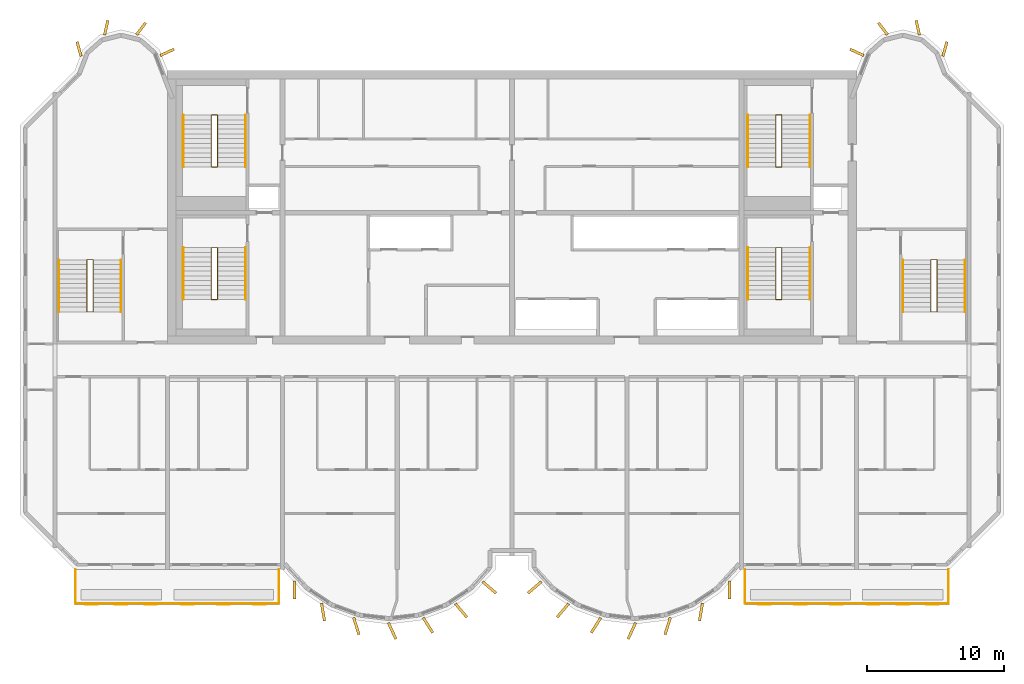
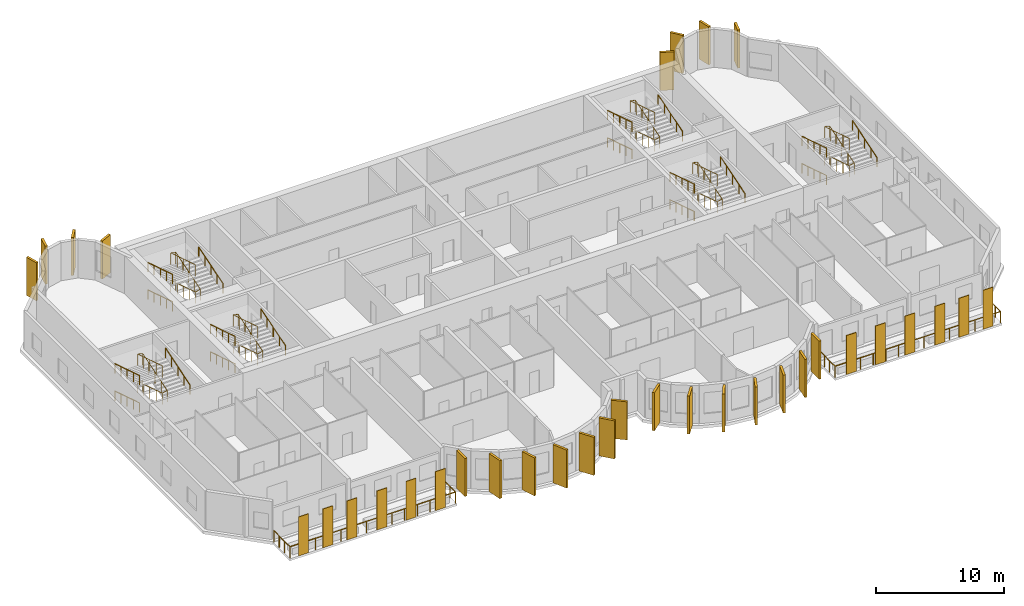
# One storey, part 10 of 11: 34 coverings, 26 railings.
"""IFC4 building model written with IfcOpenShell, lengths in metres."""

from ifc_helpers import new_model, si_unit, direction, frame, origin, origin_2d, place, context, subcontext, project, spatial, rectangle, circle, extrude, source, transform, mapped, material, layer, layer_set, material_profile, profile_set, type_object, element, save


model = new_model("IFC4")

# Units and contexts
model_context = context("Model", 3, precision=1e-05, world=origin(), true_north=direction((0.0, 1.0)))
body_context = subcontext(model_context, "Body", "Model", "MODEL_VIEW")
ifc_project = project(units=[si_unit("LENGTHUNIT", "METRE"), si_unit("AREAUNIT", "SQUARE_METRE"), si_unit("VOLUMEUNIT", "CUBIC_METRE"), si_unit("PLANEANGLEUNIT", "RADIAN"), si_unit("MASSUNIT", "GRAM", prefix="KILO")], contexts=[model_context])

# Site, building, storey
site_placement = place(None, origin())
site = spatial("IfcSite", under=ifc_project, at=site_placement, CompositionType="ELEMENT")
building_placement = place(site_placement, origin())
building = spatial("IfcBuilding", under=site, at=building_placement, Name="Vanashikhar Sky Hotel", CompositionType="ELEMENT")
storey_placement = place(building_placement, frame((0.0, 0.0, 249.10009765625)))
storey = spatial("IfcBuildingStorey", under=building, at=storey_placement, Name="L60", CompositionType="ELEMENT", Elevation=249.10009765625)

# Railings
ifc_material_1 = material(Name="Stainless steel 316", Category="steel")
railing_type_1 = type_object("IfcRailingType", Name="Balcony guard 1100", PredefinedType="GUARDRAIL", material=ifc_material_1)
shared_shape_1 = source(origin(), body_context, "Body", "SweptSolid", [
    extrude(circle(Radius=0.02392578125, at=origin_2d()), frame((0.0, 0.0, 1.076171875), z_axis=(0.0, -1.0, 0.0), x_axis=(1.0, 0.0, 0.0)), (0.0, 0.0, 1.0), 2.5),
    extrude(circle(Radius=0.02392578125, at=origin_2d()), frame((0.0, -2.5, 1.076171875), z_axis=(1.0, 0.0, 0.0), x_axis=(0.0, 1.0, 0.0)), (0.0, 0.0, 1.0), 14.880126953125),
    extrude(circle(Radius=0.02392578125, at=origin_2d()), frame((14.880126953125, -2.5, 1.076171875), z_axis=(0.0, 1.0, 0.0), x_axis=(-1.0, 0.0, 0.0)), (0.0, 0.0, 1.0), 2.5),
    extrude(circle(Radius=0.02099609375, at=origin_2d()), origin(), (0.0, 0.0, 1.0), 1.052001953125),
    extrude(circle(Radius=0.02099609375, at=origin_2d()), frame((0.0, -0.833251953125, 0.0)), (0.0, 0.0, 1.0), 1.052001953125),
    extrude(circle(Radius=0.02099609375, at=origin_2d()), frame((0.0, -1.666748046875, 0.0)), (0.0, 0.0, 1.0), 1.052001953125),
    extrude(circle(Radius=0.02099609375, at=origin_2d()), frame((0.0, -2.5, 0.0)), (0.0, 0.0, 1.0), 1.052001953125),
    extrude(circle(Radius=0.02099609375, at=origin_2d()), frame((1.14453125, -2.5, 0.0)), (0.0, 0.0, 1.0), 1.052001953125),
    extrude(circle(Radius=0.02099609375, at=origin_2d()), frame((2.289306640625, -2.5, 0.0)), (0.0, 0.0, 1.0), 1.052001953125),
    extrude(circle(Radius=0.02099609375, at=origin_2d()), frame((3.433837890625, -2.5, 0.0)), (0.0, 0.0, 1.0), 1.052001953125),
    extrude(circle(Radius=0.02099609375, at=origin_2d()), frame((4.57861328125, -2.5, 0.0)), (0.0, 0.0, 1.0), 1.052001953125),
    extrude(circle(Radius=0.02099609375, at=origin_2d()), frame((5.72314453125, -2.5, 0.0)), (0.0, 0.0, 1.0), 1.052001953125),
    extrude(circle(Radius=0.02099609375, at=origin_2d()), frame((6.86767578125, -2.5, 0.0)), (0.0, 0.0, 1.0), 1.052001953125),
    extrude(circle(Radius=0.02099609375, at=origin_2d()), frame((8.012451171875, -2.5, 0.0)), (0.0, 0.0, 1.0), 1.052001953125),
    extrude(circle(Radius=0.02099609375, at=origin_2d()), frame((9.156982421875, -2.5, 0.0)), (0.0, 0.0, 1.0), 1.052001953125),
    extrude(circle(Radius=0.02099609375, at=origin_2d()), frame((10.301513671875, -2.5, 0.0)), (0.0, 0.0, 1.0), 1.052001953125),
    extrude(circle(Radius=0.02099609375, at=origin_2d()), frame((11.4462890625, -2.5, 0.0)), (0.0, 0.0, 1.0), 1.052001953125),
    extrude(circle(Radius=0.02099609375, at=origin_2d()), frame((12.5908203125, -2.5, 0.0)), (0.0, 0.0, 1.0), 1.052001953125),
    extrude(circle(Radius=0.02099609375, at=origin_2d()), frame((13.735595703125, -2.5, 0.0)), (0.0, 0.0, 1.0), 1.052001953125),
    extrude(circle(Radius=0.02099609375, at=origin_2d()), frame((14.880126953125, -2.5, 0.0)), (0.0, 0.0, 1.0), 1.052001953125),
    extrude(circle(Radius=0.02099609375, at=origin_2d()), frame((14.880126953125, -1.666748046875, 0.0)), (0.0, 0.0, 1.0), 1.052001953125),
    extrude(circle(Radius=0.02099609375, at=origin_2d()), frame((14.880126953125, -0.833251953125, 0.0)), (0.0, 0.0, 1.0), 1.052001953125),
    extrude(circle(Radius=0.02099609375, at=origin_2d()), frame((14.880126953125, 0.0, 0.0)), (0.0, 0.0, 1.0), 1.052001953125),
])
for number, where, name in (
    (1, (18.4599609375, 5.5, -0.050048828125), "Balcony guard"),
    (2, (67.4599609375, 5.5, -0.050048828125), "Balcony guard"),
):
    element("IfcRailing", number, at=place(storey_placement, frame(where)), inside=storey, type_object=railing_type_1, Name=name, PredefinedType="GUARDRAIL", context=body_context, shape_type="MappedRepresentation", body=[
        mapped(shared_shape_1, transform((0.0, 0.0, 0.0), scale=1.0)),
    ])

# Coverings
ifc_material_2 = material(Name="Terracotta", Category="masonry")
ifc_layer = layer(ifc_material_2, 0.06005859375)
ifc_layer_set = layer_set([ifc_layer], Name="Terracotta baguette screen")
covering_type_1 = type_object("IfcCoveringType", Name="Terracotta baguette screen", PredefinedType="CLADDING", material=ifc_layer_set)
shared_shape_2 = source(origin(), body_context, "Body", "SweptSolid", [
    extrude(rectangle(XDim=0.89990234375, YDim=0.06005859375, at=origin_2d()), origin(), (0.0, 0.0, 1.0), 3.699951171875),
])
for number, where, z_axis, x_axis, name in (
    (3, (19.63330078125, 2.929931640625, -0.05029296875), (0.0, 0.0, 1.0), (1.0, 0.0, 0.0), "Terracotta screen"),
    (4, (21.800048828125, 2.929931640625, -0.05029296875), (0.0, 0.0, 1.0), (1.0, 0.0, 0.0), "Terracotta screen"),
    (5, (23.966796875, 2.929931640625, -0.05029296875), (0.0, 0.0, 1.0), (1.0, 0.0, 0.0), "Terracotta screen"),
    (6, (26.666748046875, 2.929931640625, -0.05029296875), (0.0, 0.0, 1.0), (1.0, 0.0, 0.0), "Terracotta screen"),
    (7, (29.300048828125, 2.929931640625, -0.05029296875), (0.0, 0.0, 1.0), (1.0, 0.0, 0.0), "Terracotta screen"),
    (8, (31.933349609375, 2.929931640625, -0.05029296875), (0.0, 0.0, 1.0), (1.0, 0.0, 0.0), "Terracotta screen"),
    (9, (68.86669921875, 2.929931640625, -0.05029296875), (0.0, 0.0, 1.0), (1.0, 0.0, 0.0), "Terracotta screen"),
    (10, (71.5, 2.929931640625, -0.05029296875), (0.0, 0.0, 1.0), (1.0, 0.0, 0.0), "Terracotta screen"),
    (11, (74.13330078125, 2.929931640625, -0.05029296875), (0.0, 0.0, 1.0), (1.0, 0.0, 0.0), "Terracotta screen"),
    (12, (76.833251953125, 2.929931640625, -0.05029296875), (0.0, 0.0, 1.0), (1.0, 0.0, 0.0), "Terracotta screen"),
    (13, (79.0, 2.929931640625, -0.05029296875), (0.0, 0.0, 1.0), (1.0, 0.0, 0.0), "Terracotta screen"),
    (14, (81.166748046875, 2.929931640625, -0.05029296875), (0.0, 0.0, 1.0), (1.0, 0.0, 0.0), "Terracotta screen"),
):
    element("IfcCovering", number, at=place(storey_placement, frame(where, z_axis=z_axis, x_axis=x_axis)), inside=storey, type_object=covering_type_1, Name=name, PredefinedType="CLADDING", context=body_context, shape_type="MappedRepresentation", body=[
        mapped(shared_shape_2, transform((0.0, 0.0, 0.0), scale=1.0)),
    ])
ifc_material_3 = material(Name="Concrete M60 dark", Category="concrete")
ifc_material_profile_1 = material_profile(ifc_material_3, rectangle(XDim=1.300048828125, YDim=0.199951171875, at=origin_2d()))
ifc_profile_set_1 = profile_set([ifc_material_profile_1], Name="Fin 1300 x 200")
covering_type_2 = type_object("IfcCoveringType", Name="Fin 1300 x 200", PredefinedType="CLADDING", material=ifc_profile_set_1)
shared_shape_3 = source(origin(), body_context, "Body", "SweptSolid", [
    extrude(rectangle(XDim=1.300048828125, YDim=0.199951171875, at=origin_2d()), origin(), (0.0, 0.0, 1.0), 3.619873046875),
])
for number, where, z_axis, x_axis, name in (
    (15, (34.482421875, 3.992919921875, 0.0), (0.0, 0.0, 1.0), (0.011588726826, -0.999932848451, 0.0), "Fin F1-1"),
    (16, (36.572509765625, 2.3779296875, 0.0), (0.0, 0.0, 1.0), (0.16989991575, -0.985461322746, 0.0), "Fin F1-2"),
    (17, (39.00830078125, 1.35693359375, 0.0), (0.0, 0.0, 1.0), (0.303966551867, -0.952682704444, 0.0), "Fin F1-3"),
    (18, (41.63232421875, 1.00146484375, 0.0), (0.0, 0.0, 1.0), (0.422618261741, -0.906307787037, 0.0), "Fin F1-4"),
    (19, (44.251953125, 1.416015625, 0.0), (0.0, 0.0, 1.0), (0.534411358496, -0.845224526331, 0.0), "Fin F1-5"),
    (20, (46.676025390625, 2.5, 0.0), (0.0, 0.0, 1.0), (0.645697609467, -0.763593214433, 0.0), "Fin F1-6"),
    (21, (48.7412109375, 4.1845703125, 0.0), (0.0, 0.0, 1.0), (0.758543912032, -0.65162192529, 0.0), "Fin F1-7"),
    (22, (52.058837890625, 4.1845703125, 0.0), (0.0, 0.0, 1.0), (-0.758543912032, -0.65162192529, 0.0), "Fin F2-1"),
    (23, (54.123779296875, 2.5, 0.0), (0.0, 0.0, 1.0), (-0.645697609467, -0.763593214433, 0.0), "Fin F2-2"),
    (24, (56.547119140625, 1.416015625, 0.0), (0.0, 0.0, 1.0), (-0.534411358496, -0.845224526331, 0.0), "Fin F2-3"),
    (25, (59.16748046875, 1.00146484375, 0.0), (0.0, 0.0, 1.0), (-0.422618261741, -0.906307787037, 0.0), "Fin F2-4"),
    (26, (61.790771484375, 1.35693359375, 0.0), (0.0, 0.0, 1.0), (-0.303966551867, -0.952682704444, 0.0), "Fin F2-5"),
    (27, (64.2275390625, 2.3779296875, 0.0), (0.0, 0.0, 1.0), (-0.16989991575, -0.985461322746, 0.0), "Fin F2-6"),
    (28, (66.317626953125, 3.992919921875, 0.0), (0.0, 0.0, 1.0), (-0.011588726826, -0.999932848451, 0.0), "Fin F2-7"),
):
    element("IfcCovering", number, at=place(storey_placement, frame(where, z_axis=z_axis, x_axis=x_axis)), inside=storey, type_object=covering_type_2, Name=name, PredefinedType="CLADDING", context=body_context, shape_type="MappedRepresentation", body=[
        mapped(shared_shape_3, transform((0.0, 0.0, 0.0), scale=1.0)),
    ])
ifc_material_profile_2 = material_profile(ifc_material_3, rectangle(XDim=1.10009765625, YDim=0.199951171875, at=origin_2d()))
ifc_profile_set_2 = profile_set([ifc_material_profile_2], Name="Rear lobe fin 1100 x 200")
covering_type_3 = type_object("IfcCoveringType", Name="Rear lobe fin 1100 x 200", PredefinedType="CLADDING", material=ifc_profile_set_2)
shared_shape_4 = source(origin(), body_context, "Body", "SweptSolid", [
    extrude(rectangle(XDim=1.10009765625, YDim=0.199951171875, at=origin_2d()), origin(), (0.0, 0.0, 1.0), 3.619873046875),
])
for number, where, z_axis, x_axis, name in (
    (29, (18.720703125, 43.580078125, 0.0), (0.0, 0.0, 1.0), (-0.262711264409, 0.964874495234, 0.0), "Fin R1-1"),
    (30, (20.710205078125, 45.1455078125, 0.0), (0.0, 0.0, 1.0), (0.224644935864, 0.974440687159, 0.0), "Fin R1-2"),
    (31, (23.261962890625, 45.06640625, 0.0), (0.0, 0.0, 1.0), (0.602065892195, 0.798446404874, 0.0), "Fin R1-3"),
    (32, (25.169677734375, 43.33447265625, 0.0), (0.0, 0.0, 1.0), (0.908004291068, 0.418960866193, 0.0), "Fin R1-4"),
    (33, (75.63037109375, 43.33447265625, 0.0), (0.0, 0.0, 1.0), (-0.908004291068, 0.418960866193, 0.0), "Fin R2-1"),
    (34, (77.5380859375, 45.06640625, 0.0), (0.0, 0.0, 1.0), (-0.602065892195, 0.798446404874, 0.0), "Fin R2-2"),
    (35, (80.08984375, 45.1455078125, 0.0), (0.0, 0.0, 1.0), (-0.224644935864, 0.974440687159, 0.0), "Fin R2-3"),
    (36, (82.0791015625, 43.580078125, 0.0), (0.0, 0.0, 1.0), (0.262711264409, 0.964874495234, 0.0), "Fin R2-4"),
):
    element("IfcCovering", number, at=place(storey_placement, frame(where, z_axis=z_axis, x_axis=x_axis)), inside=storey, type_object=covering_type_3, Name=name, PredefinedType="CLADDING", context=body_context, shape_type="MappedRepresentation", body=[
        mapped(shared_shape_4, transform((0.0, 0.0, 0.0), scale=1.0)),
    ])

# Railings
ifc_material_4 = material(Name="Steel S355", Category="steel")
railing_type_2 = type_object("IfcRailingType", Name="Stair handrail 900", PredefinedType="HANDRAIL", material=ifc_material_4)
shared_shape_5 = source(origin(), body_context, "Body", "SweptSolid", [
    extrude(circle(Radius=0.02392578125, at=origin_2d()), frame((0.0, 0.0, 0.8759765625), z_axis=(0.0, 0.95418390146, 0.299220791714), x_axis=(-1.0, 0.0, 0.0)), (0.0, 0.0, 1.0), 3.982421875),
    extrude(circle(Radius=0.02099609375, at=origin_2d()), origin(), (0.0, 0.0, 1.0), 0.851806640625),
    extrude(circle(Radius=0.02099609375, at=origin_2d()), frame((0.0, 0.949951171875, 0.2978515625)), (0.0, 0.0, 1.0), 0.851806640625),
    extrude(circle(Radius=0.02099609375, at=origin_2d()), frame((0.0, 1.89990234375, 0.595703125)), (0.0, 0.0, 1.0), 0.851806640625),
    extrude(circle(Radius=0.02099609375, at=origin_2d()), frame((0.0, 2.85009765625, 0.893798828125)), (0.0, 0.0, 1.0), 0.851806640625),
    extrude(circle(Radius=0.02099609375, at=origin_2d()), frame((0.0, 3.800048828125, 1.191650390625)), (0.0, 0.0, 1.0), 0.851806640625),
])
for number, where, name in (
    (37, (30.89990234375, 25.25, 1.408203125), "Exit stair 1 handrail"),
    (38, (72.199951171875, 25.25, 1.408203125), "Exit stair 2 handrail"),
    (39, (30.89990234375, 34.949951171875, 1.408203125), "Exit stair 5 handrail"),
    (40, (72.199951171875, 34.949951171875, 1.408203125), "Exit stair 6 handrail"),
):
    element("IfcRailing", number, at=place(storey_placement, frame(where)), inside=storey, type_object=railing_type_2, Name=name, PredefinedType="HANDRAIL", context=body_context, shape_type="MappedRepresentation", body=[
        mapped(shared_shape_5, transform((0.0, 0.0, 0.0), scale=1.0)),
    ])
shared_shape_6 = source(origin(), body_context, "Body", "SweptSolid", [
    extrude(circle(Radius=0.02392578125, at=origin_2d()), frame((0.0, 0.0, 0.8759765625), z_axis=(0.0, -0.95418390146, 0.299220791714), x_axis=(1.0, 0.0, 0.0)), (0.0, 0.0, 1.0), 3.982421875),
    extrude(circle(Radius=0.02099609375, at=origin_2d()), origin(), (0.0, 0.0, 1.0), 0.851806640625),
    extrude(circle(Radius=0.02099609375, at=origin_2d()), frame((0.0, -0.949951171875, 0.2978515625)), (0.0, 0.0, 1.0), 0.851806640625),
    extrude(circle(Radius=0.02099609375, at=origin_2d()), frame((0.0, -1.89990234375, 0.595703125)), (0.0, 0.0, 1.0), 0.851806640625),
    extrude(circle(Radius=0.02099609375, at=origin_2d()), frame((0.0, -2.85009765625, 0.893798828125)), (0.0, 0.0, 1.0), 0.851806640625),
    extrude(circle(Radius=0.02099609375, at=origin_2d()), frame((0.0, -3.800048828125, 1.191650390625)), (0.0, 0.0, 1.0), 0.851806640625),
])
for number, where, name in (
    (41, (26.35009765625, 29.050048828125, 0.108154296875), "Exit stair 1 handrail"),
    (42, (26.35009765625, 29.050048828125, 2.708251953125), "Exit stair 1 handrail"),
    (43, (67.64990234375, 29.050048828125, 0.108154296875), "Exit stair 2 handrail"),
    (44, (67.64990234375, 29.050048828125, 2.708251953125), "Exit stair 2 handrail"),
    (45, (26.35009765625, 38.75, 0.108154296875), "Exit stair 5 handrail"),
    (46, (26.35009765625, 38.75, 2.708251953125), "Exit stair 5 handrail"),
    (47, (67.64990234375, 38.75, 0.108154296875), "Exit stair 6 handrail"),
    (48, (67.64990234375, 38.75, 2.708251953125), "Exit stair 6 handrail"),
):
    element("IfcRailing", number, at=place(storey_placement, frame(where)), inside=storey, type_object=railing_type_2, Name=name, PredefinedType="HANDRAIL", context=body_context, shape_type="MappedRepresentation", body=[
        mapped(shared_shape_6, transform((0.0, 0.0, 0.0), scale=1.0)),
    ])
railing_type_3 = type_object("IfcRailingType", Name="Stair guard 1100", PredefinedType="GUARDRAIL", material=ifc_material_4)
shared_shape_7 = source(origin(), body_context, "Body", "SweptSolid", [
    extrude(circle(Radius=0.02392578125, at=origin_2d()), frame((0.0, 0.0, 1.076171875), z_axis=(-0.972334627364, 0.0, 0.233592320999), x_axis=(0.0, -1.0, 0.0)), (0.0, 0.0, 1.0), 0.462890625),
    extrude(circle(Radius=0.02392578125, at=origin_2d()), frame((-0.4501953125, 0.0, 1.18408203125), z_axis=(0.0, -0.95418390146, 0.299220791714), x_axis=(1.0, 0.0, 0.0)), (0.0, 0.0, 1.0), 3.982421875),
    extrude(circle(Radius=0.02392578125, at=origin_2d()), frame((-0.4501953125, -3.800048828125, 2.3759765625), z_axis=(0.972214749574, 0.0, 0.234090753151), x_axis=(0.0, 1.0, 0.0)), (0.0, 0.0, 1.0), 0.463134765625),
    extrude(circle(Radius=0.02392578125, at=origin_2d()), frame((0.0, -3.800048828125, 2.484375), z_axis=(0.0, 0.95418390146, 0.299220791714), x_axis=(-1.0, 0.0, 0.0)), (0.0, 0.0, 1.0), 3.982421875),
    extrude(circle(Radius=0.02392578125, at=origin_2d()), frame((0.0, 0.0, 3.67578125), z_axis=(-0.972214749574, 0.0, 0.234090753151), x_axis=(0.0, -1.0, 0.0)), (0.0, 0.0, 1.0), 0.463134765625),
    extrude(circle(Radius=0.02392578125, at=origin_2d()), frame((-0.4501953125, 0.0, 3.7841796875), z_axis=(0.0, -0.95418390146, 0.299220791714), x_axis=(1.0, 0.0, 0.0)), (0.0, 0.0, 1.0), 3.982421875),
    extrude(circle(Radius=0.02099609375, at=origin_2d()), origin(), (0.0, 0.0, 1.0), 1.052001953125),
    extrude(circle(Radius=0.02099609375, at=origin_2d()), frame((-0.4501953125, 0.0, 0.108154296875)), (0.0, 0.0, 1.0), 1.052001953125),
    extrude(circle(Radius=0.02099609375, at=origin_2d()), frame((-0.4501953125, -0.949951171875, 0.406005859375)), (0.0, 0.0, 1.0), 1.052001953125),
    extrude(circle(Radius=0.02099609375, at=origin_2d()), frame((-0.4501953125, -1.89990234375, 0.7041015625)), (0.0, 0.0, 1.0), 1.052001953125),
    extrude(circle(Radius=0.02099609375, at=origin_2d()), frame((-0.4501953125, -2.85009765625, 1.001953125)), (0.0, 0.0, 1.0), 1.052001953125),
    extrude(circle(Radius=0.02099609375, at=origin_2d()), frame((-0.4501953125, -3.800048828125, 1.2998046875)), (0.0, 0.0, 1.0), 1.052001953125),
    extrude(circle(Radius=0.02099609375, at=origin_2d()), frame((0.0, -3.800048828125, 1.408203125)), (0.0, 0.0, 1.0), 1.052001953125),
    extrude(circle(Radius=0.02099609375, at=origin_2d()), frame((0.0, -2.85009765625, 1.7060546875)), (0.0, 0.0, 1.0), 1.052001953125),
    extrude(circle(Radius=0.02099609375, at=origin_2d()), frame((0.0, -1.89990234375, 2.00390625)), (0.0, 0.0, 1.0), 1.052001953125),
    extrude(circle(Radius=0.02099609375, at=origin_2d()), frame((0.0, -0.949951171875, 2.302001953125)), (0.0, 0.0, 1.0), 1.052001953125),
    extrude(circle(Radius=0.02099609375, at=origin_2d()), frame((0.0, 0.0, 2.599853515625)), (0.0, 0.0, 1.0), 1.052001953125),
    extrude(circle(Radius=0.02099609375, at=origin_2d()), frame((-0.4501953125, 0.0, 2.708251953125)), (0.0, 0.0, 1.0), 1.052001953125),
    extrude(circle(Radius=0.02099609375, at=origin_2d()), frame((-0.4501953125, -0.949951171875, 3.006103515625)), (0.0, 0.0, 1.0), 1.052001953125),
    extrude(circle(Radius=0.02099609375, at=origin_2d()), frame((-0.4501953125, -1.89990234375, 3.30419921875)), (0.0, 0.0, 1.0), 1.052001953125),
    extrude(circle(Radius=0.02099609375, at=origin_2d()), frame((-0.4501953125, -2.85009765625, 3.60205078125)), (0.0, 0.0, 1.0), 1.052001953125),
    extrude(circle(Radius=0.02099609375, at=origin_2d()), frame((-0.4501953125, -3.800048828125, 3.89990234375)), (0.0, 0.0, 1.0), 1.052001953125),
])
for number, where, name in (
    (49, (28.85009765625, 29.050048828125, 0.0), "Exit stair 1 guard"),
    (50, (28.85009765625, 38.75, 0.0), "Exit stair 5 guard"),
):
    element("IfcRailing", number, at=place(storey_placement, frame(where)), inside=storey, type_object=railing_type_3, Name=name, PredefinedType="GUARDRAIL", context=body_context, shape_type="MappedRepresentation", body=[
        mapped(shared_shape_7, transform((0.0, 0.0, 0.0), scale=1.0)),
    ])
shared_shape_8 = source(origin(), body_context, "Body", "SweptSolid", [
    extrude(circle(Radius=0.02392578125, at=origin_2d()), frame((0.0, 0.0, 1.076171875), z_axis=(-0.972305833095, 0.0, 0.233712145448), x_axis=(0.0, -1.0, 0.0)), (0.0, 0.0, 1.0), 0.462646484375),
    extrude(circle(Radius=0.02392578125, at=origin_2d()), frame((-0.449951171875, 0.0, 1.18408203125), z_axis=(0.0, -0.95418390146, 0.299220791714), x_axis=(1.0, 0.0, 0.0)), (0.0, 0.0, 1.0), 3.982421875),
    extrude(circle(Radius=0.02392578125, at=origin_2d()), frame((-0.449951171875, -3.800048828125, 2.3759765625), z_axis=(0.972185835864, 0.0, 0.234210803648), x_axis=(0.0, 1.0, 0.0)), (0.0, 0.0, 1.0), 0.462890625),
    extrude(circle(Radius=0.02392578125, at=origin_2d()), frame((0.0, -3.800048828125, 2.484375), z_axis=(0.0, 0.95418390146, 0.299220791714), x_axis=(-1.0, 0.0, 0.0)), (0.0, 0.0, 1.0), 3.982421875),
    extrude(circle(Radius=0.02392578125, at=origin_2d()), frame((0.0, 0.0, 3.67578125), z_axis=(-0.972185835864, 0.0, 0.234210803648), x_axis=(0.0, -1.0, 0.0)), (0.0, 0.0, 1.0), 0.462890625),
    extrude(circle(Radius=0.02392578125, at=origin_2d()), frame((-0.449951171875, 0.0, 3.7841796875), z_axis=(0.0, -0.95418390146, 0.299220791714), x_axis=(1.0, 0.0, 0.0)), (0.0, 0.0, 1.0), 3.982421875),
    extrude(circle(Radius=0.02099609375, at=origin_2d()), origin(), (0.0, 0.0, 1.0), 1.052001953125),
    extrude(circle(Radius=0.02099609375, at=origin_2d()), frame((-0.449951171875, 0.0, 0.108154296875)), (0.0, 0.0, 1.0), 1.052001953125),
    extrude(circle(Radius=0.02099609375, at=origin_2d()), frame((-0.449951171875, -0.949951171875, 0.406005859375)), (0.0, 0.0, 1.0), 1.052001953125),
    extrude(circle(Radius=0.02099609375, at=origin_2d()), frame((-0.449951171875, -1.89990234375, 0.7041015625)), (0.0, 0.0, 1.0), 1.052001953125),
    extrude(circle(Radius=0.02099609375, at=origin_2d()), frame((-0.449951171875, -2.85009765625, 1.001953125)), (0.0, 0.0, 1.0), 1.052001953125),
    extrude(circle(Radius=0.02099609375, at=origin_2d()), frame((-0.449951171875, -3.800048828125, 1.2998046875)), (0.0, 0.0, 1.0), 1.052001953125),
    extrude(circle(Radius=0.02099609375, at=origin_2d()), frame((0.0, -3.800048828125, 1.408203125)), (0.0, 0.0, 1.0), 1.052001953125),
    extrude(circle(Radius=0.02099609375, at=origin_2d()), frame((0.0, -2.85009765625, 1.7060546875)), (0.0, 0.0, 1.0), 1.052001953125),
    extrude(circle(Radius=0.02099609375, at=origin_2d()), frame((0.0, -1.89990234375, 2.00390625)), (0.0, 0.0, 1.0), 1.052001953125),
    extrude(circle(Radius=0.02099609375, at=origin_2d()), frame((0.0, -0.949951171875, 2.302001953125)), (0.0, 0.0, 1.0), 1.052001953125),
    extrude(circle(Radius=0.02099609375, at=origin_2d()), frame((0.0, 0.0, 2.599853515625)), (0.0, 0.0, 1.0), 1.052001953125),
    extrude(circle(Radius=0.02099609375, at=origin_2d()), frame((-0.449951171875, 0.0, 2.708251953125)), (0.0, 0.0, 1.0), 1.052001953125),
    extrude(circle(Radius=0.02099609375, at=origin_2d()), frame((-0.449951171875, -0.949951171875, 3.006103515625)), (0.0, 0.0, 1.0), 1.052001953125),
    extrude(circle(Radius=0.02099609375, at=origin_2d()), frame((-0.449951171875, -1.89990234375, 3.30419921875)), (0.0, 0.0, 1.0), 1.052001953125),
    extrude(circle(Radius=0.02099609375, at=origin_2d()), frame((-0.449951171875, -2.85009765625, 3.60205078125)), (0.0, 0.0, 1.0), 1.052001953125),
    extrude(circle(Radius=0.02099609375, at=origin_2d()), frame((-0.449951171875, -3.800048828125, 3.89990234375)), (0.0, 0.0, 1.0), 1.052001953125),
])
for number, where, name in (
    (51, (70.14990234375, 29.050048828125, 0.0), "Exit stair 2 guard"),
    (52, (70.14990234375, 38.75, 0.0), "Exit stair 6 guard"),
):
    element("IfcRailing", number, at=place(storey_placement, frame(where)), inside=storey, type_object=railing_type_3, Name=name, PredefinedType="GUARDRAIL", context=body_context, shape_type="MappedRepresentation", body=[
        mapped(shared_shape_8, transform((0.0, 0.0, 0.0), scale=1.0)),
    ])
shared_shape_9 = source(origin(), body_context, "Body", "SweptSolid", [
    extrude(circle(Radius=0.02392578125, at=origin_2d()), frame((0.0, 0.0, 0.8759765625), z_axis=(0.0, 0.954178412317, 0.299238295459), x_axis=(-1.0, 0.0, 0.0)), (0.0, 0.0, 1.0), 3.982177734375),
    extrude(circle(Radius=0.02099609375, at=origin_2d()), origin(), (0.0, 0.0, 1.0), 0.851806640625),
    extrude(circle(Radius=0.02099609375, at=origin_2d()), frame((0.0, 0.949951171875, 0.2978515625)), (0.0, 0.0, 1.0), 0.851806640625),
    extrude(circle(Radius=0.02099609375, at=origin_2d()), frame((0.0, 1.89990234375, 0.595703125)), (0.0, 0.0, 1.0), 0.851806640625),
    extrude(circle(Radius=0.02099609375, at=origin_2d()), frame((0.0, 2.849853515625, 0.893798828125)), (0.0, 0.0, 1.0), 0.851806640625),
    extrude(circle(Radius=0.02099609375, at=origin_2d()), frame((0.0, 3.7998046875, 1.191650390625)), (0.0, 0.0, 1.0), 0.851806640625),
])
for number, where, name in (
    (53, (21.800048828125, 24.35009765625, 1.408203125), "Exit stair 3 handrail"),
    (54, (83.550048828125, 24.35009765625, 1.408203125), "Exit stair 4 handrail"),
):
    element("IfcRailing", number, at=place(storey_placement, frame(where)), inside=storey, type_object=railing_type_2, Name=name, PredefinedType="HANDRAIL", context=body_context, shape_type="MappedRepresentation", body=[
        mapped(shared_shape_9, transform((0.0, 0.0, 0.0), scale=1.0)),
    ])
shared_shape_10 = source(origin(), body_context, "Body", "SweptSolid", [
    extrude(circle(Radius=0.02392578125, at=origin_2d()), frame((0.0, 0.0, 0.8759765625), z_axis=(0.0, -0.954178412317, 0.299238295459), x_axis=(1.0, 0.0, 0.0)), (0.0, 0.0, 1.0), 3.982177734375),
    extrude(circle(Radius=0.02099609375, at=origin_2d()), origin(), (0.0, 0.0, 1.0), 0.851806640625),
    extrude(circle(Radius=0.02099609375, at=origin_2d()), frame((0.0, -0.949951171875, 0.2978515625)), (0.0, 0.0, 1.0), 0.851806640625),
    extrude(circle(Radius=0.02099609375, at=origin_2d()), frame((0.0, -1.89990234375, 0.595703125)), (0.0, 0.0, 1.0), 0.851806640625),
    extrude(circle(Radius=0.02099609375, at=origin_2d()), frame((0.0, -2.849853515625, 0.893798828125)), (0.0, 0.0, 1.0), 0.851806640625),
    extrude(circle(Radius=0.02099609375, at=origin_2d()), frame((0.0, -3.7998046875, 1.191650390625)), (0.0, 0.0, 1.0), 0.851806640625),
])
for number, where, name in (
    (55, (17.25, 28.14990234375, 0.108154296875), "Exit stair 3 handrail"),
    (56, (17.25, 28.14990234375, 2.708251953125), "Exit stair 3 handrail"),
    (57, (79.0, 28.14990234375, 0.108154296875), "Exit stair 4 handrail"),
    (58, (79.0, 28.14990234375, 2.708251953125), "Exit stair 4 handrail"),
):
    element("IfcRailing", number, at=place(storey_placement, frame(where)), inside=storey, type_object=railing_type_2, Name=name, PredefinedType="HANDRAIL", context=body_context, shape_type="MappedRepresentation", body=[
        mapped(shared_shape_10, transform((0.0, 0.0, 0.0), scale=1.0)),
    ])
shared_shape_11 = source(origin(), body_context, "Body", "SweptSolid", [
    extrude(circle(Radius=0.02392578125, at=origin_2d()), frame((0.0, 0.0, 1.076171875), z_axis=(-0.972305833095, 0.0, 0.233712145448), x_axis=(0.0, -1.0, 0.0)), (0.0, 0.0, 1.0), 0.462646484375),
    extrude(circle(Radius=0.02392578125, at=origin_2d()), frame((-0.449951171875, 0.0, 1.18408203125), z_axis=(0.0, -0.954178412317, 0.299238295459), x_axis=(1.0, 0.0, 0.0)), (0.0, 0.0, 1.0), 3.982177734375),
    extrude(circle(Radius=0.02392578125, at=origin_2d()), frame((-0.449951171875, -3.7998046875, 2.3759765625), z_axis=(0.972185835864, 0.0, 0.234210803648), x_axis=(0.0, 1.0, 0.0)), (0.0, 0.0, 1.0), 0.462890625),
    extrude(circle(Radius=0.02392578125, at=origin_2d()), frame((0.0, -3.7998046875, 2.484375), z_axis=(0.0, 0.954178412317, 0.299238295459), x_axis=(-1.0, 0.0, 0.0)), (0.0, 0.0, 1.0), 3.982177734375),
    extrude(circle(Radius=0.02392578125, at=origin_2d()), frame((0.0, 0.0, 3.67578125), z_axis=(-0.972185835864, 0.0, 0.234210803648), x_axis=(0.0, -1.0, 0.0)), (0.0, 0.0, 1.0), 0.462890625),
    extrude(circle(Radius=0.02392578125, at=origin_2d()), frame((-0.449951171875, 0.0, 3.7841796875), z_axis=(0.0, -0.954178412317, 0.299238295459), x_axis=(1.0, 0.0, 0.0)), (0.0, 0.0, 1.0), 3.982177734375),
    extrude(circle(Radius=0.02099609375, at=origin_2d()), origin(), (0.0, 0.0, 1.0), 1.052001953125),
    extrude(circle(Radius=0.02099609375, at=origin_2d()), frame((-0.449951171875, 0.0, 0.108154296875)), (0.0, 0.0, 1.0), 1.052001953125),
    extrude(circle(Radius=0.02099609375, at=origin_2d()), frame((-0.449951171875, -0.949951171875, 0.406005859375)), (0.0, 0.0, 1.0), 1.052001953125),
    extrude(circle(Radius=0.02099609375, at=origin_2d()), frame((-0.449951171875, -1.89990234375, 0.7041015625)), (0.0, 0.0, 1.0), 1.052001953125),
    extrude(circle(Radius=0.02099609375, at=origin_2d()), frame((-0.449951171875, -2.849853515625, 1.001953125)), (0.0, 0.0, 1.0), 1.052001953125),
    extrude(circle(Radius=0.02099609375, at=origin_2d()), frame((-0.449951171875, -3.7998046875, 1.2998046875)), (0.0, 0.0, 1.0), 1.052001953125),
    extrude(circle(Radius=0.02099609375, at=origin_2d()), frame((0.0, -3.7998046875, 1.408203125)), (0.0, 0.0, 1.0), 1.052001953125),
    extrude(circle(Radius=0.02099609375, at=origin_2d()), frame((0.0, -2.849853515625, 1.7060546875)), (0.0, 0.0, 1.0), 1.052001953125),
    extrude(circle(Radius=0.02099609375, at=origin_2d()), frame((0.0, -1.89990234375, 2.00390625)), (0.0, 0.0, 1.0), 1.052001953125),
    extrude(circle(Radius=0.02099609375, at=origin_2d()), frame((0.0, -0.949951171875, 2.302001953125)), (0.0, 0.0, 1.0), 1.052001953125),
    extrude(circle(Radius=0.02099609375, at=origin_2d()), frame((0.0, 0.0, 2.599853515625)), (0.0, 0.0, 1.0), 1.052001953125),
    extrude(circle(Radius=0.02099609375, at=origin_2d()), frame((-0.449951171875, 0.0, 2.708251953125)), (0.0, 0.0, 1.0), 1.052001953125),
    extrude(circle(Radius=0.02099609375, at=origin_2d()), frame((-0.449951171875, -0.949951171875, 3.006103515625)), (0.0, 0.0, 1.0), 1.052001953125),
    extrude(circle(Radius=0.02099609375, at=origin_2d()), frame((-0.449951171875, -1.89990234375, 3.30419921875)), (0.0, 0.0, 1.0), 1.052001953125),
    extrude(circle(Radius=0.02099609375, at=origin_2d()), frame((-0.449951171875, -2.849853515625, 3.60205078125)), (0.0, 0.0, 1.0), 1.052001953125),
    extrude(circle(Radius=0.02099609375, at=origin_2d()), frame((-0.449951171875, -3.7998046875, 3.89990234375)), (0.0, 0.0, 1.0), 1.052001953125),
])
for number, where, name in (
    (59, (19.75, 28.14990234375, 0.0), "Exit stair 3 guard"),
    (60, (81.5, 28.14990234375, 0.0), "Exit stair 4 guard"),
):
    element("IfcRailing", number, at=place(storey_placement, frame(where)), inside=storey, type_object=railing_type_3, Name=name, PredefinedType="GUARDRAIL", context=body_context, shape_type="MappedRepresentation", body=[
        mapped(shared_shape_11, transform((0.0, 0.0, 0.0), scale=1.0)),
    ])

save(model, "model.ifc")
